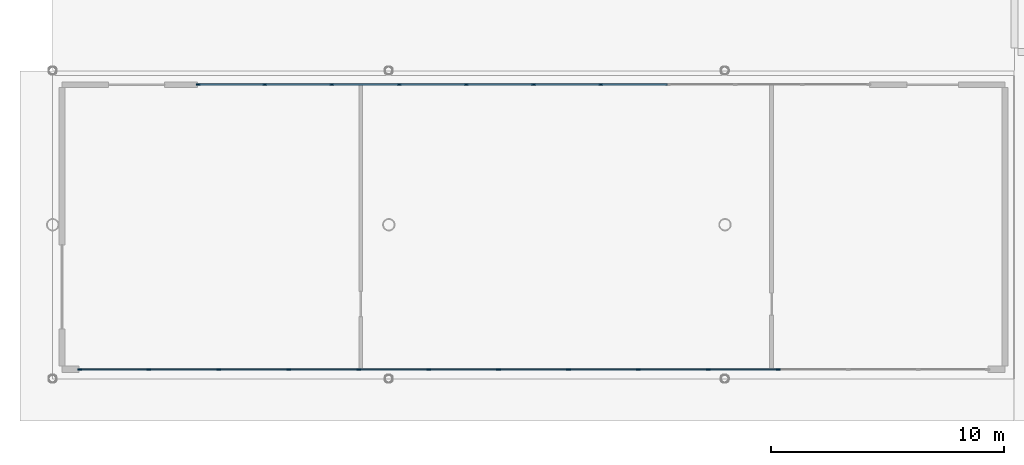
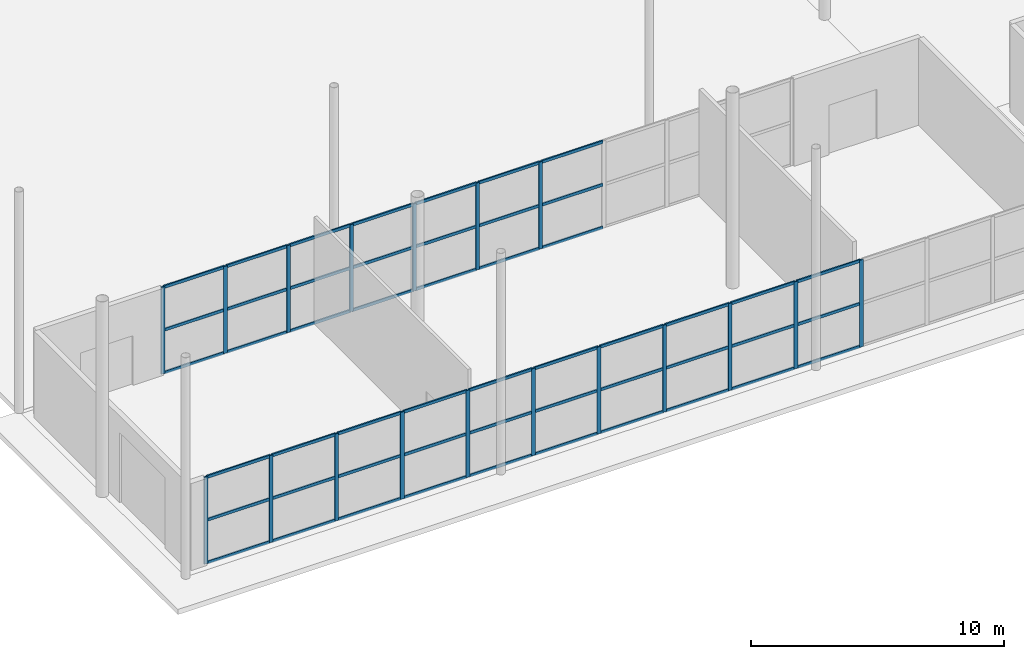
# One storey, part 19 of 87: 69 members, 2 elements without a shape of their own.
"""IFC4 building model written with IfcOpenShell, lengths in metres."""

from ifc_helpers import new_model, si_unit, direction, frame, origin, origin_2d, place, context, subcontext, project, spatial, rectangle, extrude, material, material_profile, profile_set, type_object, element, aggregate, save


model = new_model("IFC4")

# Units and contexts
model_context = context("Model", 3, precision=1e-05, world=origin(), true_north=direction((0.0, 1.0)))
body_context = subcontext(model_context, "Body", "Model", "MODEL_VIEW")
ifc_project = project(units=[si_unit("LENGTHUNIT", "METRE"), si_unit("AREAUNIT", "SQUARE_METRE"), si_unit("VOLUMEUNIT", "CUBIC_METRE"), si_unit("PLANEANGLEUNIT", "RADIAN"), si_unit("MASSUNIT", "GRAM", prefix="KILO")], contexts=[model_context])

# Site, building, storey
site_placement = place(None, origin())
site = spatial("IfcSite", under=ifc_project, at=site_placement, CompositionType="ELEMENT")
building_placement = place(site_placement, origin())
building = spatial("IfcBuilding", under=site, at=building_placement, Name="Kimbaza Rail Terminus", CompositionType="ELEMENT")
storey_placement = place(building_placement, origin())
storey = spatial("IfcBuildingStorey", under=building, at=storey_placement, Name="L00", CompositionType="ELEMENT", Elevation=0.0)

# Curtain wall, members
ifc_material_1 = material(Name="Anodised aluminium framing and solar low-E glazing", Category="aluminium")
curtain_wall_type = type_object("IfcCurtainWallType", Name="ARC-CW-PV1", PredefinedType="USERDEFINED", material=ifc_material_1)
curtain_wall_1_placement = place(storey_placement, origin())
curtain_wall_1 = element("IfcCurtainWall", 1, at=curtain_wall_1_placement, inside=storey, type_object=curtain_wall_type, Name="Bus Dispatch Hub North Curtain Wall", ObjectType="STICK CURTAIN WALL", PredefinedType="USERDEFINED")
ifc_material_2 = material(Name="Anodised architectural aluminium", Category="aluminium")
ifc_material_profile_1 = material_profile(ifc_material_2, rectangle(XDim=0.06494140625, YDim=0.175048828125, at=origin_2d()), Name="MULLION 65x175")
ifc_profile_set_1 = profile_set([ifc_material_profile_1], Name="Anodised architectural aluminium")
member_type_1 = type_object("IfcMemberType", Name="ARC-CWM-04", PredefinedType="MULLION", material=ifc_profile_set_1)
member_1_placement = place(storey_placement, frame((20.232421875, 25.60009765625, 0.0), z_axis=(0.0, 0.0, 1.0), x_axis=(0.0, 1.0, 0.0)))
member_1 = element("IfcMember", 2, at=member_1_placement, type_object=member_type_1, Name="CW-04 mullion 1", PredefinedType="MULLION", context=body_context, shape_type="SweptSolid", body=[
    extrude(rectangle(XDim=0.06494140625, YDim=0.175048828125, at=origin_2d()), origin(), (0.0, 0.0, 1.0), 4.199951171875),
])
member_2_placement = place(storey_placement, frame((23.080078125, 25.60009765625, 0.0), z_axis=(0.0, 0.0, 1.0), x_axis=(0.0, 1.0, 0.0)))
member_2 = element("IfcMember", 3, at=member_2_placement, type_object=member_type_1, Name="CW-04 mullion 2", PredefinedType="MULLION", context=body_context, shape_type="SweptSolid", body=[
    extrude(rectangle(XDim=0.06494140625, YDim=0.175048828125, at=origin_2d()), origin(), (0.0, 0.0, 1.0), 4.199951171875),
])
member_3_placement = place(storey_placement, frame((25.9599609375, 25.60009765625, 0.0), z_axis=(0.0, 0.0, 1.0), x_axis=(0.0, 1.0, 0.0)))
member_3 = element("IfcMember", 4, at=member_3_placement, type_object=member_type_1, Name="CW-04 mullion 3", PredefinedType="MULLION", context=body_context, shape_type="SweptSolid", body=[
    extrude(rectangle(XDim=0.06494140625, YDim=0.175048828125, at=origin_2d()), origin(), (0.0, 0.0, 1.0), 4.199951171875),
])
member_4_placement = place(storey_placement, frame((28.840087890625, 25.60009765625, 0.0), z_axis=(0.0, 0.0, 1.0), x_axis=(0.0, 1.0, 0.0)))
member_4 = element("IfcMember", 5, at=member_4_placement, type_object=member_type_1, Name="CW-04 mullion 4", PredefinedType="MULLION", context=body_context, shape_type="SweptSolid", body=[
    extrude(rectangle(XDim=0.06494140625, YDim=0.175048828125, at=origin_2d()), origin(), (0.0, 0.0, 1.0), 4.199951171875),
])
member_5_placement = place(storey_placement, frame((31.719970703125, 25.60009765625, 0.0), z_axis=(0.0, 0.0, 1.0), x_axis=(0.0, 1.0, 0.0)))
member_5 = element("IfcMember", 6, at=member_5_placement, type_object=member_type_1, Name="CW-04 mullion 5", PredefinedType="MULLION", context=body_context, shape_type="SweptSolid", body=[
    extrude(rectangle(XDim=0.06494140625, YDim=0.175048828125, at=origin_2d()), origin(), (0.0, 0.0, 1.0), 4.199951171875),
])
member_6_placement = place(storey_placement, frame((34.60009765625, 25.60009765625, 0.0), z_axis=(0.0, 0.0, 1.0), x_axis=(0.0, 1.0, 0.0)))
member_6 = element("IfcMember", 7, at=member_6_placement, type_object=member_type_1, Name="CW-04 mullion 6", PredefinedType="MULLION", context=body_context, shape_type="SweptSolid", body=[
    extrude(rectangle(XDim=0.06494140625, YDim=0.175048828125, at=origin_2d()), origin(), (0.0, 0.0, 1.0), 4.199951171875),
])
member_7_placement = place(storey_placement, frame((37.47998046875, 25.60009765625, 0.0), z_axis=(0.0, 0.0, 1.0), x_axis=(0.0, 1.0, 0.0)))
member_7 = element("IfcMember", 8, at=member_7_placement, type_object=member_type_1, Name="CW-04 mullion 7", PredefinedType="MULLION", context=body_context, shape_type="SweptSolid", body=[
    extrude(rectangle(XDim=0.06494140625, YDim=0.175048828125, at=origin_2d()), origin(), (0.0, 0.0, 1.0), 4.199951171875),
])

curtain_wall_2_placement = place(storey_placement, origin())
curtain_wall_2 = element("IfcCurtainWall", 9, at=curtain_wall_2_placement, inside=storey, type_object=curtain_wall_type, Name="Bus Dispatch Hub South Curtain Wall", ObjectType="STICK CURTAIN WALL", PredefinedType="USERDEFINED")
member_8_placement = place(storey_placement, frame((15.152587890625, 13.39990234375, 0.0), z_axis=(0.0, 0.0, 1.0), x_axis=(0.0, 1.0, 0.0)))
member_8 = element("IfcMember", 10, at=member_8_placement, type_object=member_type_1, Name="CW-04 mullion 1", PredefinedType="MULLION", context=body_context, shape_type="SweptSolid", body=[
    extrude(rectangle(XDim=0.06494140625, YDim=0.175048828125, at=origin_2d()), origin(), (0.0, 0.0, 1.0), 4.199951171875),
])
member_9_placement = place(storey_placement, frame((18.116943359375, 13.39990234375, 0.0), z_axis=(0.0, 0.0, 1.0), x_axis=(0.0, 1.0, 0.0)))
member_9 = element("IfcMember", 11, at=member_9_placement, type_object=member_type_1, Name="CW-04 mullion 2", PredefinedType="MULLION", context=body_context, shape_type="SweptSolid", body=[
    extrude(rectangle(XDim=0.06494140625, YDim=0.175048828125, at=origin_2d()), origin(), (0.0, 0.0, 1.0), 4.199951171875),
])
member_10_placement = place(storey_placement, frame((21.11376953125, 13.39990234375, 0.0), z_axis=(0.0, 0.0, 1.0), x_axis=(0.0, 1.0, 0.0)))
member_10 = element("IfcMember", 12, at=member_10_placement, type_object=member_type_1, Name="CW-04 mullion 3", PredefinedType="MULLION", context=body_context, shape_type="SweptSolid", body=[
    extrude(rectangle(XDim=0.06494140625, YDim=0.175048828125, at=origin_2d()), origin(), (0.0, 0.0, 1.0), 4.199951171875),
])
member_11_placement = place(storey_placement, frame((24.11083984375, 13.39990234375, 0.0), z_axis=(0.0, 0.0, 1.0), x_axis=(0.0, 1.0, 0.0)))
member_11 = element("IfcMember", 13, at=member_11_placement, type_object=member_type_1, Name="CW-04 mullion 4", PredefinedType="MULLION", context=body_context, shape_type="SweptSolid", body=[
    extrude(rectangle(XDim=0.06494140625, YDim=0.175048828125, at=origin_2d()), origin(), (0.0, 0.0, 1.0), 4.199951171875),
])
member_12_placement = place(storey_placement, frame((27.107666015625, 13.39990234375, 0.0), z_axis=(0.0, 0.0, 1.0), x_axis=(0.0, 1.0, 0.0)))
member_12 = element("IfcMember", 14, at=member_12_placement, type_object=member_type_1, Name="CW-04 mullion 5", PredefinedType="MULLION", context=body_context, shape_type="SweptSolid", body=[
    extrude(rectangle(XDim=0.06494140625, YDim=0.175048828125, at=origin_2d()), origin(), (0.0, 0.0, 1.0), 4.199951171875),
])
member_13_placement = place(storey_placement, frame((30.104736328125, 13.39990234375, 0.0), z_axis=(0.0, 0.0, 1.0), x_axis=(0.0, 1.0, 0.0)))
member_13 = element("IfcMember", 15, at=member_13_placement, type_object=member_type_1, Name="CW-04 mullion 6", PredefinedType="MULLION", context=body_context, shape_type="SweptSolid", body=[
    extrude(rectangle(XDim=0.06494140625, YDim=0.175048828125, at=origin_2d()), origin(), (0.0, 0.0, 1.0), 4.199951171875),
])
member_14_placement = place(storey_placement, frame((33.1015625, 13.39990234375, 0.0), z_axis=(0.0, 0.0, 1.0), x_axis=(0.0, 1.0, 0.0)))
member_14 = element("IfcMember", 16, at=member_14_placement, type_object=member_type_1, Name="CW-04 mullion 7", PredefinedType="MULLION", context=body_context, shape_type="SweptSolid", body=[
    extrude(rectangle(XDim=0.06494140625, YDim=0.175048828125, at=origin_2d()), origin(), (0.0, 0.0, 1.0), 4.199951171875),
])
member_15_placement = place(storey_placement, frame((36.098388671875, 13.39990234375, 0.0), z_axis=(0.0, 0.0, 1.0), x_axis=(0.0, 1.0, 0.0)))
member_15 = element("IfcMember", 17, at=member_15_placement, type_object=member_type_1, Name="CW-04 mullion 8", PredefinedType="MULLION", context=body_context, shape_type="SweptSolid", body=[
    extrude(rectangle(XDim=0.06494140625, YDim=0.175048828125, at=origin_2d()), origin(), (0.0, 0.0, 1.0), 4.199951171875),
])
member_16_placement = place(storey_placement, frame((39.095458984375, 13.39990234375, 0.0), z_axis=(0.0, 0.0, 1.0), x_axis=(0.0, 1.0, 0.0)))
member_16 = element("IfcMember", 18, at=member_16_placement, type_object=member_type_1, Name="CW-04 mullion 9", PredefinedType="MULLION", context=body_context, shape_type="SweptSolid", body=[
    extrude(rectangle(XDim=0.06494140625, YDim=0.175048828125, at=origin_2d()), origin(), (0.0, 0.0, 1.0), 4.199951171875),
])
member_17_placement = place(storey_placement, frame((42.09228515625, 13.39990234375, 0.0), z_axis=(0.0, 0.0, 1.0), x_axis=(0.0, 1.0, 0.0)))
member_17 = element("IfcMember", 19, at=member_17_placement, type_object=member_type_1, Name="CW-04 mullion 10", PredefinedType="MULLION", context=body_context, shape_type="SweptSolid", body=[
    extrude(rectangle(XDim=0.06494140625, YDim=0.175048828125, at=origin_2d()), origin(), (0.0, 0.0, 1.0), 4.199951171875),
])
member_18_placement = place(storey_placement, frame((45.089111328125, 13.39990234375, 0.0), z_axis=(0.0, 0.0, 1.0), x_axis=(0.0, 1.0, 0.0)))
member_18 = element("IfcMember", 20, at=member_18_placement, type_object=member_type_1, Name="CW-04 mullion 11", PredefinedType="MULLION", context=body_context, shape_type="SweptSolid", body=[
    extrude(rectangle(XDim=0.06494140625, YDim=0.175048828125, at=origin_2d()), origin(), (0.0, 0.0, 1.0), 4.199951171875),
])

# Member
ifc_material_3 = material(Name="Anodised architectural aluminium", Category="aluminium")
ifc_material_profile_2 = material_profile(ifc_material_3, rectangle(XDim=0.06494140625, YDim=0.139892578125, at=origin_2d()), Name="TRANSOM 65x140")
ifc_profile_set_2 = profile_set([ifc_material_profile_2], Name="Anodised architectural aluminium")
member_type_2 = type_object("IfcMemberType", Name="ARC-CWT-04", PredefinedType="USERDEFINED", material=ifc_profile_set_2)
member_19_placement = place(storey_placement, frame((20.264892578125, 25.60009765625, 0.032470703125), z_axis=(1.0, 0.0, 0.0), x_axis=(0.0, 1.0, 0.0)))
member_19 = element("IfcMember", 21, at=member_19_placement, type_object=member_type_2, Name="CW-04 transom 1.1", ObjectType="TRANSOM", PredefinedType="USERDEFINED", context=body_context, shape_type="SweptSolid", body=[
    extrude(rectangle(XDim=0.06494140625, YDim=0.139892578125, at=origin_2d()), origin(), (0.0, 0.0, 1.0), 2.78271484375),
])

member_20_placement = place(storey_placement, frame((20.264892578125, 25.60009765625, 2.10009765625), z_axis=(1.0, 0.0, 0.0), x_axis=(0.0, 1.0, 0.0)))
member_20 = element("IfcMember", 22, at=member_20_placement, type_object=member_type_2, Name="CW-04 transom 1.2", ObjectType="TRANSOM", PredefinedType="USERDEFINED", context=body_context, shape_type="SweptSolid", body=[
    extrude(rectangle(XDim=0.06494140625, YDim=0.139892578125, at=origin_2d()), origin(), (0.0, 0.0, 1.0), 2.78271484375),
])

member_21_placement = place(storey_placement, frame((20.264892578125, 25.60009765625, 4.16748046875), z_axis=(1.0, 0.0, 0.0), x_axis=(0.0, 1.0, 0.0)))
member_21 = element("IfcMember", 23, at=member_21_placement, type_object=member_type_2, Name="CW-04 transom 1.3", ObjectType="TRANSOM", PredefinedType="USERDEFINED", context=body_context, shape_type="SweptSolid", body=[
    extrude(rectangle(XDim=0.06494140625, YDim=0.139892578125, at=origin_2d()), origin(), (0.0, 0.0, 1.0), 2.78271484375),
])

member_22_placement = place(storey_placement, frame((23.112548828125, 25.60009765625, 0.032470703125), z_axis=(1.0, 0.0, 0.0), x_axis=(0.0, 1.0, 0.0)))
member_22 = element("IfcMember", 24, at=member_22_placement, type_object=member_type_2, Name="CW-04 transom 2.1", ObjectType="TRANSOM", PredefinedType="USERDEFINED", context=body_context, shape_type="SweptSolid", body=[
    extrude(rectangle(XDim=0.06494140625, YDim=0.139892578125, at=origin_2d()), origin(), (0.0, 0.0, 1.0), 2.81494140625),
])

member_23_placement = place(storey_placement, frame((23.112548828125, 25.60009765625, 2.10009765625), z_axis=(1.0, 0.0, 0.0), x_axis=(0.0, 1.0, 0.0)))
member_23 = element("IfcMember", 25, at=member_23_placement, type_object=member_type_2, Name="CW-04 transom 2.2", ObjectType="TRANSOM", PredefinedType="USERDEFINED", context=body_context, shape_type="SweptSolid", body=[
    extrude(rectangle(XDim=0.06494140625, YDim=0.139892578125, at=origin_2d()), origin(), (0.0, 0.0, 1.0), 2.81494140625),
])

member_24_placement = place(storey_placement, frame((23.112548828125, 25.60009765625, 4.16748046875), z_axis=(1.0, 0.0, 0.0), x_axis=(0.0, 1.0, 0.0)))
member_24 = element("IfcMember", 26, at=member_24_placement, type_object=member_type_2, Name="CW-04 transom 2.3", ObjectType="TRANSOM", PredefinedType="USERDEFINED", context=body_context, shape_type="SweptSolid", body=[
    extrude(rectangle(XDim=0.06494140625, YDim=0.139892578125, at=origin_2d()), origin(), (0.0, 0.0, 1.0), 2.81494140625),
])

member_25_placement = place(storey_placement, frame((25.992431640625, 25.60009765625, 0.032470703125), z_axis=(1.0, 0.0, 0.0), x_axis=(0.0, 1.0, 0.0)))
member_25 = element("IfcMember", 27, at=member_25_placement, type_object=member_type_2, Name="CW-04 transom 3.1", ObjectType="TRANSOM", PredefinedType="USERDEFINED", context=body_context, shape_type="SweptSolid", body=[
    extrude(rectangle(XDim=0.06494140625, YDim=0.139892578125, at=origin_2d()), origin(), (0.0, 0.0, 1.0), 2.815185546875),
])

member_26_placement = place(storey_placement, frame((25.992431640625, 25.60009765625, 2.10009765625), z_axis=(1.0, 0.0, 0.0), x_axis=(0.0, 1.0, 0.0)))
member_26 = element("IfcMember", 28, at=member_26_placement, type_object=member_type_2, Name="CW-04 transom 3.2", ObjectType="TRANSOM", PredefinedType="USERDEFINED", context=body_context, shape_type="SweptSolid", body=[
    extrude(rectangle(XDim=0.06494140625, YDim=0.139892578125, at=origin_2d()), origin(), (0.0, 0.0, 1.0), 2.815185546875),
])

member_27_placement = place(storey_placement, frame((25.992431640625, 25.60009765625, 4.16748046875), z_axis=(1.0, 0.0, 0.0), x_axis=(0.0, 1.0, 0.0)))
member_27 = element("IfcMember", 29, at=member_27_placement, type_object=member_type_2, Name="CW-04 transom 3.3", ObjectType="TRANSOM", PredefinedType="USERDEFINED", context=body_context, shape_type="SweptSolid", body=[
    extrude(rectangle(XDim=0.06494140625, YDim=0.139892578125, at=origin_2d()), origin(), (0.0, 0.0, 1.0), 2.815185546875),
])

member_28_placement = place(storey_placement, frame((28.87255859375, 25.60009765625, 0.032470703125), z_axis=(1.0, 0.0, 0.0), x_axis=(0.0, 1.0, 0.0)))
member_28 = element("IfcMember", 30, at=member_28_placement, type_object=member_type_2, Name="CW-04 transom 4.1", ObjectType="TRANSOM", PredefinedType="USERDEFINED", context=body_context, shape_type="SweptSolid", body=[
    extrude(rectangle(XDim=0.06494140625, YDim=0.139892578125, at=origin_2d()), origin(), (0.0, 0.0, 1.0), 2.81494140625),
])

member_29_placement = place(storey_placement, frame((28.87255859375, 25.60009765625, 2.10009765625), z_axis=(1.0, 0.0, 0.0), x_axis=(0.0, 1.0, 0.0)))
member_29 = element("IfcMember", 31, at=member_29_placement, type_object=member_type_2, Name="CW-04 transom 4.2", ObjectType="TRANSOM", PredefinedType="USERDEFINED", context=body_context, shape_type="SweptSolid", body=[
    extrude(rectangle(XDim=0.06494140625, YDim=0.139892578125, at=origin_2d()), origin(), (0.0, 0.0, 1.0), 2.81494140625),
])

member_30_placement = place(storey_placement, frame((28.87255859375, 25.60009765625, 4.16748046875), z_axis=(1.0, 0.0, 0.0), x_axis=(0.0, 1.0, 0.0)))
member_30 = element("IfcMember", 32, at=member_30_placement, type_object=member_type_2, Name="CW-04 transom 4.3", ObjectType="TRANSOM", PredefinedType="USERDEFINED", context=body_context, shape_type="SweptSolid", body=[
    extrude(rectangle(XDim=0.06494140625, YDim=0.139892578125, at=origin_2d()), origin(), (0.0, 0.0, 1.0), 2.81494140625),
])

member_31_placement = place(storey_placement, frame((31.75244140625, 25.60009765625, 0.032470703125), z_axis=(1.0, 0.0, 0.0), x_axis=(0.0, 1.0, 0.0)))
member_31 = element("IfcMember", 33, at=member_31_placement, type_object=member_type_2, Name="CW-04 transom 5.1", ObjectType="TRANSOM", PredefinedType="USERDEFINED", context=body_context, shape_type="SweptSolid", body=[
    extrude(rectangle(XDim=0.06494140625, YDim=0.139892578125, at=origin_2d()), origin(), (0.0, 0.0, 1.0), 2.81494140625),
])

member_32_placement = place(storey_placement, frame((31.75244140625, 25.60009765625, 2.10009765625), z_axis=(1.0, 0.0, 0.0), x_axis=(0.0, 1.0, 0.0)))
member_32 = element("IfcMember", 34, at=member_32_placement, type_object=member_type_2, Name="CW-04 transom 5.2", ObjectType="TRANSOM", PredefinedType="USERDEFINED", context=body_context, shape_type="SweptSolid", body=[
    extrude(rectangle(XDim=0.06494140625, YDim=0.139892578125, at=origin_2d()), origin(), (0.0, 0.0, 1.0), 2.81494140625),
])

member_33_placement = place(storey_placement, frame((31.75244140625, 25.60009765625, 4.16748046875), z_axis=(1.0, 0.0, 0.0), x_axis=(0.0, 1.0, 0.0)))
member_33 = element("IfcMember", 35, at=member_33_placement, type_object=member_type_2, Name="CW-04 transom 5.3", ObjectType="TRANSOM", PredefinedType="USERDEFINED", context=body_context, shape_type="SweptSolid", body=[
    extrude(rectangle(XDim=0.06494140625, YDim=0.139892578125, at=origin_2d()), origin(), (0.0, 0.0, 1.0), 2.81494140625),
])

member_34_placement = place(storey_placement, frame((34.632568359375, 25.60009765625, 0.032470703125), z_axis=(1.0, 0.0, 0.0), x_axis=(0.0, 1.0, 0.0)))
member_34 = element("IfcMember", 36, at=member_34_placement, type_object=member_type_2, Name="CW-04 transom 6.1", ObjectType="TRANSOM", PredefinedType="USERDEFINED", context=body_context, shape_type="SweptSolid", body=[
    extrude(rectangle(XDim=0.06494140625, YDim=0.139892578125, at=origin_2d()), origin(), (0.0, 0.0, 1.0), 2.81494140625),
])

member_35_placement = place(storey_placement, frame((34.632568359375, 25.60009765625, 2.10009765625), z_axis=(1.0, 0.0, 0.0), x_axis=(0.0, 1.0, 0.0)))
member_35 = element("IfcMember", 37, at=member_35_placement, type_object=member_type_2, Name="CW-04 transom 6.2", ObjectType="TRANSOM", PredefinedType="USERDEFINED", context=body_context, shape_type="SweptSolid", body=[
    extrude(rectangle(XDim=0.06494140625, YDim=0.139892578125, at=origin_2d()), origin(), (0.0, 0.0, 1.0), 2.81494140625),
])

member_36_placement = place(storey_placement, frame((34.632568359375, 25.60009765625, 4.16748046875), z_axis=(1.0, 0.0, 0.0), x_axis=(0.0, 1.0, 0.0)))
member_36 = element("IfcMember", 38, at=member_36_placement, type_object=member_type_2, Name="CW-04 transom 6.3", ObjectType="TRANSOM", PredefinedType="USERDEFINED", context=body_context, shape_type="SweptSolid", body=[
    extrude(rectangle(XDim=0.06494140625, YDim=0.139892578125, at=origin_2d()), origin(), (0.0, 0.0, 1.0), 2.81494140625),
])

member_37_placement = place(storey_placement, frame((37.512451171875, 25.60009765625, 0.032470703125), z_axis=(1.0, 0.0, 0.0), x_axis=(0.0, 1.0, 0.0)))
member_37 = element("IfcMember", 39, at=member_37_placement, type_object=member_type_2, Name="CW-04 transom 7.1", ObjectType="TRANSOM", PredefinedType="USERDEFINED", context=body_context, shape_type="SweptSolid", body=[
    extrude(rectangle(XDim=0.06494140625, YDim=0.139892578125, at=origin_2d()), origin(), (0.0, 0.0, 1.0), 2.81494140625),
])

member_38_placement = place(storey_placement, frame((37.512451171875, 25.60009765625, 2.10009765625), z_axis=(1.0, 0.0, 0.0), x_axis=(0.0, 1.0, 0.0)))
member_38 = element("IfcMember", 40, at=member_38_placement, type_object=member_type_2, Name="CW-04 transom 7.2", ObjectType="TRANSOM", PredefinedType="USERDEFINED", context=body_context, shape_type="SweptSolid", body=[
    extrude(rectangle(XDim=0.06494140625, YDim=0.139892578125, at=origin_2d()), origin(), (0.0, 0.0, 1.0), 2.81494140625),
])

member_39_placement = place(storey_placement, frame((37.512451171875, 25.60009765625, 4.16748046875), z_axis=(1.0, 0.0, 0.0), x_axis=(0.0, 1.0, 0.0)))
member_39 = element("IfcMember", 41, at=member_39_placement, type_object=member_type_2, Name="CW-04 transom 7.3", ObjectType="TRANSOM", PredefinedType="USERDEFINED", context=body_context, shape_type="SweptSolid", body=[
    extrude(rectangle(XDim=0.06494140625, YDim=0.139892578125, at=origin_2d()), origin(), (0.0, 0.0, 1.0), 2.81494140625),
])

aggregate(curtain_wall_1, [member_1, member_2, member_3, member_4, member_5, member_6, member_7, member_19, member_20, member_21, member_22, member_23, member_24, member_25, member_26, member_27, member_28, member_29, member_30, member_31, member_32, member_33, member_34, member_35, member_36, member_37, member_38, member_39])

member_40_placement = place(storey_placement, frame((15.18505859375, 13.39990234375, 0.032470703125), z_axis=(1.0, 0.0, 0.0), x_axis=(0.0, 1.0, 0.0)))
member_40 = element("IfcMember", 42, at=member_40_placement, type_object=member_type_2, Name="CW-04 transom 1.1", ObjectType="TRANSOM", PredefinedType="USERDEFINED", context=body_context, shape_type="SweptSolid", body=[
    extrude(rectangle(XDim=0.06494140625, YDim=0.139892578125, at=origin_2d()), origin(), (0.0, 0.0, 1.0), 2.8994140625),
])

member_41_placement = place(storey_placement, frame((15.18505859375, 13.39990234375, 2.10009765625), z_axis=(1.0, 0.0, 0.0), x_axis=(0.0, 1.0, 0.0)))
member_41 = element("IfcMember", 43, at=member_41_placement, type_object=member_type_2, Name="CW-04 transom 1.2", ObjectType="TRANSOM", PredefinedType="USERDEFINED", context=body_context, shape_type="SweptSolid", body=[
    extrude(rectangle(XDim=0.06494140625, YDim=0.139892578125, at=origin_2d()), origin(), (0.0, 0.0, 1.0), 2.8994140625),
])

member_42_placement = place(storey_placement, frame((15.18505859375, 13.39990234375, 4.16748046875), z_axis=(1.0, 0.0, 0.0), x_axis=(0.0, 1.0, 0.0)))
member_42 = element("IfcMember", 44, at=member_42_placement, type_object=member_type_2, Name="CW-04 transom 1.3", ObjectType="TRANSOM", PredefinedType="USERDEFINED", context=body_context, shape_type="SweptSolid", body=[
    extrude(rectangle(XDim=0.06494140625, YDim=0.139892578125, at=origin_2d()), origin(), (0.0, 0.0, 1.0), 2.8994140625),
])

member_43_placement = place(storey_placement, frame((18.1494140625, 13.39990234375, 0.032470703125), z_axis=(1.0, 0.0, 0.0), x_axis=(0.0, 1.0, 0.0)))
member_43 = element("IfcMember", 45, at=member_43_placement, type_object=member_type_2, Name="CW-04 transom 2.1", ObjectType="TRANSOM", PredefinedType="USERDEFINED", context=body_context, shape_type="SweptSolid", body=[
    extrude(rectangle(XDim=0.06494140625, YDim=0.139892578125, at=origin_2d()), origin(), (0.0, 0.0, 1.0), 2.931884765625),
])

member_44_placement = place(storey_placement, frame((18.1494140625, 13.39990234375, 2.10009765625), z_axis=(1.0, 0.0, 0.0), x_axis=(0.0, 1.0, 0.0)))
member_44 = element("IfcMember", 46, at=member_44_placement, type_object=member_type_2, Name="CW-04 transom 2.2", ObjectType="TRANSOM", PredefinedType="USERDEFINED", context=body_context, shape_type="SweptSolid", body=[
    extrude(rectangle(XDim=0.06494140625, YDim=0.139892578125, at=origin_2d()), origin(), (0.0, 0.0, 1.0), 2.931884765625),
])

member_45_placement = place(storey_placement, frame((18.1494140625, 13.39990234375, 4.16748046875), z_axis=(1.0, 0.0, 0.0), x_axis=(0.0, 1.0, 0.0)))
member_45 = element("IfcMember", 47, at=member_45_placement, type_object=member_type_2, Name="CW-04 transom 2.3", ObjectType="TRANSOM", PredefinedType="USERDEFINED", context=body_context, shape_type="SweptSolid", body=[
    extrude(rectangle(XDim=0.06494140625, YDim=0.139892578125, at=origin_2d()), origin(), (0.0, 0.0, 1.0), 2.931884765625),
])

member_46_placement = place(storey_placement, frame((21.146240234375, 13.39990234375, 0.032470703125), z_axis=(1.0, 0.0, 0.0), x_axis=(0.0, 1.0, 0.0)))
member_46 = element("IfcMember", 48, at=member_46_placement, type_object=member_type_2, Name="CW-04 transom 3.1", ObjectType="TRANSOM", PredefinedType="USERDEFINED", context=body_context, shape_type="SweptSolid", body=[
    extrude(rectangle(XDim=0.06494140625, YDim=0.139892578125, at=origin_2d()), origin(), (0.0, 0.0, 1.0), 2.93212890625),
])

member_47_placement = place(storey_placement, frame((21.146240234375, 13.39990234375, 2.10009765625), z_axis=(1.0, 0.0, 0.0), x_axis=(0.0, 1.0, 0.0)))
member_47 = element("IfcMember", 49, at=member_47_placement, type_object=member_type_2, Name="CW-04 transom 3.2", ObjectType="TRANSOM", PredefinedType="USERDEFINED", context=body_context, shape_type="SweptSolid", body=[
    extrude(rectangle(XDim=0.06494140625, YDim=0.139892578125, at=origin_2d()), origin(), (0.0, 0.0, 1.0), 2.93212890625),
])

member_48_placement = place(storey_placement, frame((21.146240234375, 13.39990234375, 4.16748046875), z_axis=(1.0, 0.0, 0.0), x_axis=(0.0, 1.0, 0.0)))
member_48 = element("IfcMember", 50, at=member_48_placement, type_object=member_type_2, Name="CW-04 transom 3.3", ObjectType="TRANSOM", PredefinedType="USERDEFINED", context=body_context, shape_type="SweptSolid", body=[
    extrude(rectangle(XDim=0.06494140625, YDim=0.139892578125, at=origin_2d()), origin(), (0.0, 0.0, 1.0), 2.93212890625),
])

member_49_placement = place(storey_placement, frame((24.143310546875, 13.39990234375, 0.032470703125), z_axis=(1.0, 0.0, 0.0), x_axis=(0.0, 1.0, 0.0)))
member_49 = element("IfcMember", 51, at=member_49_placement, type_object=member_type_2, Name="CW-04 transom 4.1", ObjectType="TRANSOM", PredefinedType="USERDEFINED", context=body_context, shape_type="SweptSolid", body=[
    extrude(rectangle(XDim=0.06494140625, YDim=0.139892578125, at=origin_2d()), origin(), (0.0, 0.0, 1.0), 2.931884765625),
])

member_50_placement = place(storey_placement, frame((24.143310546875, 13.39990234375, 2.10009765625), z_axis=(1.0, 0.0, 0.0), x_axis=(0.0, 1.0, 0.0)))
member_50 = element("IfcMember", 52, at=member_50_placement, type_object=member_type_2, Name="CW-04 transom 4.2", ObjectType="TRANSOM", PredefinedType="USERDEFINED", context=body_context, shape_type="SweptSolid", body=[
    extrude(rectangle(XDim=0.06494140625, YDim=0.139892578125, at=origin_2d()), origin(), (0.0, 0.0, 1.0), 2.931884765625),
])

member_51_placement = place(storey_placement, frame((24.143310546875, 13.39990234375, 4.16748046875), z_axis=(1.0, 0.0, 0.0), x_axis=(0.0, 1.0, 0.0)))
member_51 = element("IfcMember", 53, at=member_51_placement, type_object=member_type_2, Name="CW-04 transom 4.3", ObjectType="TRANSOM", PredefinedType="USERDEFINED", context=body_context, shape_type="SweptSolid", body=[
    extrude(rectangle(XDim=0.06494140625, YDim=0.139892578125, at=origin_2d()), origin(), (0.0, 0.0, 1.0), 2.931884765625),
])

member_52_placement = place(storey_placement, frame((27.14013671875, 13.39990234375, 0.032470703125), z_axis=(1.0, 0.0, 0.0), x_axis=(0.0, 1.0, 0.0)))
member_52 = element("IfcMember", 54, at=member_52_placement, type_object=member_type_2, Name="CW-04 transom 5.1", ObjectType="TRANSOM", PredefinedType="USERDEFINED", context=body_context, shape_type="SweptSolid", body=[
    extrude(rectangle(XDim=0.06494140625, YDim=0.139892578125, at=origin_2d()), origin(), (0.0, 0.0, 1.0), 2.931884765625),
])

member_53_placement = place(storey_placement, frame((27.14013671875, 13.39990234375, 2.10009765625), z_axis=(1.0, 0.0, 0.0), x_axis=(0.0, 1.0, 0.0)))
member_53 = element("IfcMember", 55, at=member_53_placement, type_object=member_type_2, Name="CW-04 transom 5.2", ObjectType="TRANSOM", PredefinedType="USERDEFINED", context=body_context, shape_type="SweptSolid", body=[
    extrude(rectangle(XDim=0.06494140625, YDim=0.139892578125, at=origin_2d()), origin(), (0.0, 0.0, 1.0), 2.931884765625),
])

member_54_placement = place(storey_placement, frame((27.14013671875, 13.39990234375, 4.16748046875), z_axis=(1.0, 0.0, 0.0), x_axis=(0.0, 1.0, 0.0)))
member_54 = element("IfcMember", 56, at=member_54_placement, type_object=member_type_2, Name="CW-04 transom 5.3", ObjectType="TRANSOM", PredefinedType="USERDEFINED", context=body_context, shape_type="SweptSolid", body=[
    extrude(rectangle(XDim=0.06494140625, YDim=0.139892578125, at=origin_2d()), origin(), (0.0, 0.0, 1.0), 2.931884765625),
])

member_55_placement = place(storey_placement, frame((30.13720703125, 13.39990234375, 0.032470703125), z_axis=(1.0, 0.0, 0.0), x_axis=(0.0, 1.0, 0.0)))
member_55 = element("IfcMember", 57, at=member_55_placement, type_object=member_type_2, Name="CW-04 transom 6.1", ObjectType="TRANSOM", PredefinedType="USERDEFINED", context=body_context, shape_type="SweptSolid", body=[
    extrude(rectangle(XDim=0.06494140625, YDim=0.139892578125, at=origin_2d()), origin(), (0.0, 0.0, 1.0), 2.931884765625),
])

member_56_placement = place(storey_placement, frame((30.13720703125, 13.39990234375, 2.10009765625), z_axis=(1.0, 0.0, 0.0), x_axis=(0.0, 1.0, 0.0)))
member_56 = element("IfcMember", 58, at=member_56_placement, type_object=member_type_2, Name="CW-04 transom 6.2", ObjectType="TRANSOM", PredefinedType="USERDEFINED", context=body_context, shape_type="SweptSolid", body=[
    extrude(rectangle(XDim=0.06494140625, YDim=0.139892578125, at=origin_2d()), origin(), (0.0, 0.0, 1.0), 2.931884765625),
])

member_57_placement = place(storey_placement, frame((30.13720703125, 13.39990234375, 4.16748046875), z_axis=(1.0, 0.0, 0.0), x_axis=(0.0, 1.0, 0.0)))
member_57 = element("IfcMember", 59, at=member_57_placement, type_object=member_type_2, Name="CW-04 transom 6.3", ObjectType="TRANSOM", PredefinedType="USERDEFINED", context=body_context, shape_type="SweptSolid", body=[
    extrude(rectangle(XDim=0.06494140625, YDim=0.139892578125, at=origin_2d()), origin(), (0.0, 0.0, 1.0), 2.931884765625),
])

member_58_placement = place(storey_placement, frame((33.134033203125, 13.39990234375, 0.032470703125), z_axis=(1.0, 0.0, 0.0), x_axis=(0.0, 1.0, 0.0)))
member_58 = element("IfcMember", 60, at=member_58_placement, type_object=member_type_2, Name="CW-04 transom 7.1", ObjectType="TRANSOM", PredefinedType="USERDEFINED", context=body_context, shape_type="SweptSolid", body=[
    extrude(rectangle(XDim=0.06494140625, YDim=0.139892578125, at=origin_2d()), origin(), (0.0, 0.0, 1.0), 2.931884765625),
])

member_59_placement = place(storey_placement, frame((33.134033203125, 13.39990234375, 2.10009765625), z_axis=(1.0, 0.0, 0.0), x_axis=(0.0, 1.0, 0.0)))
member_59 = element("IfcMember", 61, at=member_59_placement, type_object=member_type_2, Name="CW-04 transom 7.2", ObjectType="TRANSOM", PredefinedType="USERDEFINED", context=body_context, shape_type="SweptSolid", body=[
    extrude(rectangle(XDim=0.06494140625, YDim=0.139892578125, at=origin_2d()), origin(), (0.0, 0.0, 1.0), 2.931884765625),
])

member_60_placement = place(storey_placement, frame((33.134033203125, 13.39990234375, 4.16748046875), z_axis=(1.0, 0.0, 0.0), x_axis=(0.0, 1.0, 0.0)))
member_60 = element("IfcMember", 62, at=member_60_placement, type_object=member_type_2, Name="CW-04 transom 7.3", ObjectType="TRANSOM", PredefinedType="USERDEFINED", context=body_context, shape_type="SweptSolid", body=[
    extrude(rectangle(XDim=0.06494140625, YDim=0.139892578125, at=origin_2d()), origin(), (0.0, 0.0, 1.0), 2.931884765625),
])

member_61_placement = place(storey_placement, frame((36.130859375, 13.39990234375, 0.032470703125), z_axis=(1.0, 0.0, 0.0), x_axis=(0.0, 1.0, 0.0)))
member_61 = element("IfcMember", 63, at=member_61_placement, type_object=member_type_2, Name="CW-04 transom 8.1", ObjectType="TRANSOM", PredefinedType="USERDEFINED", context=body_context, shape_type="SweptSolid", body=[
    extrude(rectangle(XDim=0.06494140625, YDim=0.139892578125, at=origin_2d()), origin(), (0.0, 0.0, 1.0), 2.93212890625),
])

member_62_placement = place(storey_placement, frame((36.130859375, 13.39990234375, 2.10009765625), z_axis=(1.0, 0.0, 0.0), x_axis=(0.0, 1.0, 0.0)))
member_62 = element("IfcMember", 64, at=member_62_placement, type_object=member_type_2, Name="CW-04 transom 8.2", ObjectType="TRANSOM", PredefinedType="USERDEFINED", context=body_context, shape_type="SweptSolid", body=[
    extrude(rectangle(XDim=0.06494140625, YDim=0.139892578125, at=origin_2d()), origin(), (0.0, 0.0, 1.0), 2.93212890625),
])

member_63_placement = place(storey_placement, frame((36.130859375, 13.39990234375, 4.16748046875), z_axis=(1.0, 0.0, 0.0), x_axis=(0.0, 1.0, 0.0)))
member_63 = element("IfcMember", 65, at=member_63_placement, type_object=member_type_2, Name="CW-04 transom 8.3", ObjectType="TRANSOM", PredefinedType="USERDEFINED", context=body_context, shape_type="SweptSolid", body=[
    extrude(rectangle(XDim=0.06494140625, YDim=0.139892578125, at=origin_2d()), origin(), (0.0, 0.0, 1.0), 2.93212890625),
])

member_64_placement = place(storey_placement, frame((39.1279296875, 13.39990234375, 0.032470703125), z_axis=(1.0, 0.0, 0.0), x_axis=(0.0, 1.0, 0.0)))
member_64 = element("IfcMember", 66, at=member_64_placement, type_object=member_type_2, Name="CW-04 transom 9.1", ObjectType="TRANSOM", PredefinedType="USERDEFINED", context=body_context, shape_type="SweptSolid", body=[
    extrude(rectangle(XDim=0.06494140625, YDim=0.139892578125, at=origin_2d()), origin(), (0.0, 0.0, 1.0), 2.931884765625),
])

member_65_placement = place(storey_placement, frame((39.1279296875, 13.39990234375, 2.10009765625), z_axis=(1.0, 0.0, 0.0), x_axis=(0.0, 1.0, 0.0)))
member_65 = element("IfcMember", 67, at=member_65_placement, type_object=member_type_2, Name="CW-04 transom 9.2", ObjectType="TRANSOM", PredefinedType="USERDEFINED", context=body_context, shape_type="SweptSolid", body=[
    extrude(rectangle(XDim=0.06494140625, YDim=0.139892578125, at=origin_2d()), origin(), (0.0, 0.0, 1.0), 2.931884765625),
])

member_66_placement = place(storey_placement, frame((39.1279296875, 13.39990234375, 4.16748046875), z_axis=(1.0, 0.0, 0.0), x_axis=(0.0, 1.0, 0.0)))
member_66 = element("IfcMember", 68, at=member_66_placement, type_object=member_type_2, Name="CW-04 transom 9.3", ObjectType="TRANSOM", PredefinedType="USERDEFINED", context=body_context, shape_type="SweptSolid", body=[
    extrude(rectangle(XDim=0.06494140625, YDim=0.139892578125, at=origin_2d()), origin(), (0.0, 0.0, 1.0), 2.931884765625),
])

member_67_placement = place(storey_placement, frame((42.124755859375, 13.39990234375, 0.032470703125), z_axis=(1.0, 0.0, 0.0), x_axis=(0.0, 1.0, 0.0)))
member_67 = element("IfcMember", 69, at=member_67_placement, type_object=member_type_2, Name="CW-04 transom 10.1", ObjectType="TRANSOM", PredefinedType="USERDEFINED", context=body_context, shape_type="SweptSolid", body=[
    extrude(rectangle(XDim=0.06494140625, YDim=0.139892578125, at=origin_2d()), origin(), (0.0, 0.0, 1.0), 2.931884765625),
])

member_68_placement = place(storey_placement, frame((42.124755859375, 13.39990234375, 2.10009765625), z_axis=(1.0, 0.0, 0.0), x_axis=(0.0, 1.0, 0.0)))
member_68 = element("IfcMember", 70, at=member_68_placement, type_object=member_type_2, Name="CW-04 transom 10.2", ObjectType="TRANSOM", PredefinedType="USERDEFINED", context=body_context, shape_type="SweptSolid", body=[
    extrude(rectangle(XDim=0.06494140625, YDim=0.139892578125, at=origin_2d()), origin(), (0.0, 0.0, 1.0), 2.931884765625),
])

member_69_placement = place(storey_placement, frame((42.124755859375, 13.39990234375, 4.16748046875), z_axis=(1.0, 0.0, 0.0), x_axis=(0.0, 1.0, 0.0)))
member_69 = element("IfcMember", 71, at=member_69_placement, type_object=member_type_2, Name="CW-04 transom 10.3", ObjectType="TRANSOM", PredefinedType="USERDEFINED", context=body_context, shape_type="SweptSolid", body=[
    extrude(rectangle(XDim=0.06494140625, YDim=0.139892578125, at=origin_2d()), origin(), (0.0, 0.0, 1.0), 2.931884765625),
])

aggregate(curtain_wall_2, [member_8, member_9, member_10, member_11, member_12, member_13, member_14, member_15, member_16, member_17, member_18, member_40, member_41, member_42, member_43, member_44, member_45, member_46, member_47, member_48, member_49, member_50, member_51, member_52, member_53, member_54, member_55, member_56, member_57, member_58, member_59, member_60, member_61, member_62, member_63, member_64, member_65, member_66, member_67, member_68, member_69])

save(model, "model.ifc")
